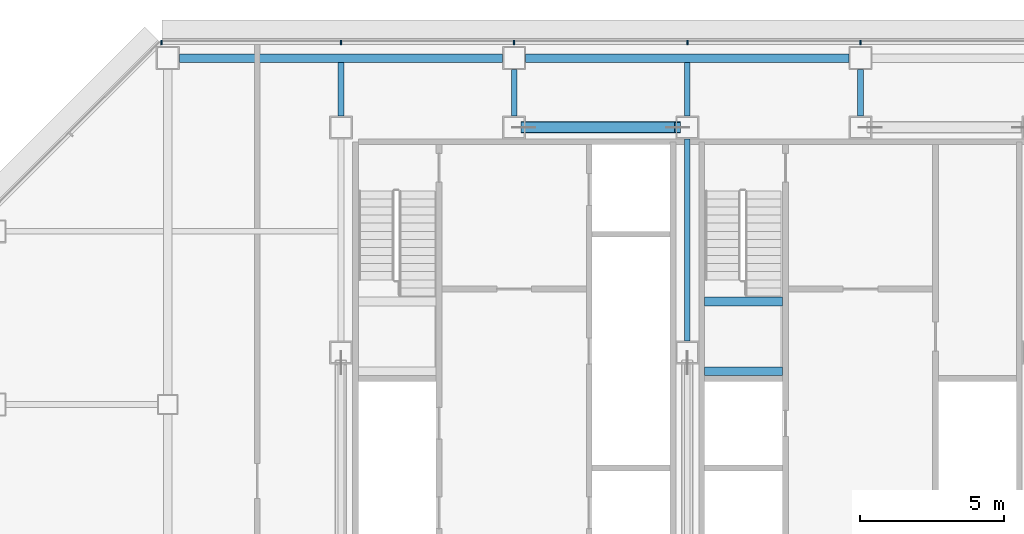
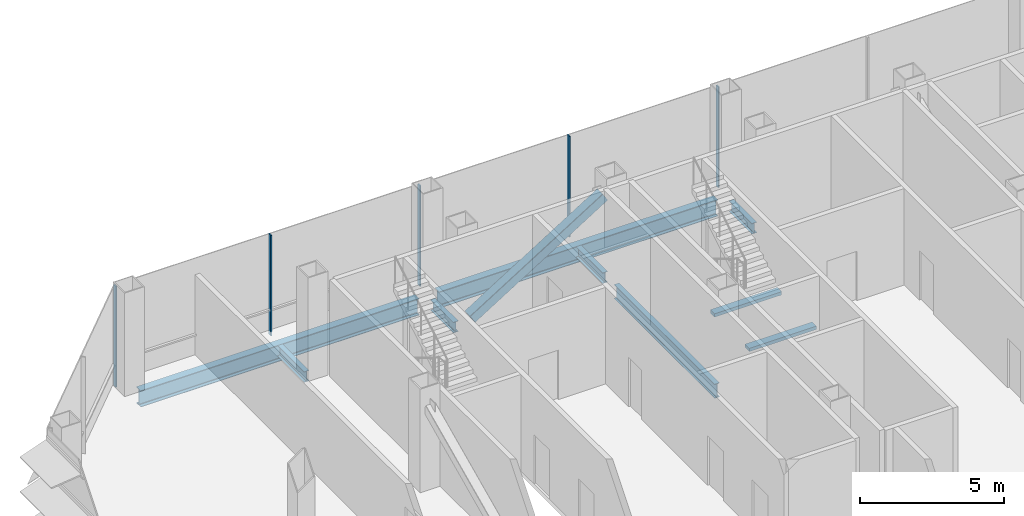
# One storey, part 12 of 28: 9 beams, 6 members, 1 element without a shape of its own.
"""IFC4 building model written with IfcOpenShell, lengths in metres."""

import ifcopenshell
import ifcopenshell.guid

model = None  # the IFC model being written
_history = None  # IfcOwnerHistory: only IFC2X3 demands one
_inside = {}  # id of a spatial element -> (the spatial element, [elements in it])
_under = {}  # id of a project, library or spatial element -> (it, [spatial elements below it])
_declared = {}  # id of a project -> (the project, [libraries it declares])
_typed = {}  # id of a type object -> (the type object, [elements of that type])
_made_of = {}  # id of a material, layer set ... -> (it, [elements and type objects made of it])


def new_model(schema):
    """Start an empty IFC model of exactly this schema.

    Asked for "IFC4X3", IfcOpenShell would pick the latest addendum, in which some entities
    have other attributes; the version numbers below select the first issue.
    IFC2X3 requires an IfcOwnerHistory on every rooted entity: one is made here for all.
    """
    global model, _history
    if schema == "IFC4X3":
        model = ifcopenshell.file(schema_version=(4, 3, 0, 0))
    else:
        model = ifcopenshell.file(schema=schema)
    _inside.clear()
    _under.clear()
    _declared.clear()
    _typed.clear()
    _made_of.clear()
    _history = None
    if model.schema == "IFC2X3":
        org = make("IfcOrganization", Name="unknown")
        user = make(
            "IfcPersonAndOrganization",
            ThePerson=make("IfcPerson", FamilyName="unknown"),
            TheOrganization=org,
        )
        app = make(
            "IfcApplication",
            ApplicationDeveloper=org,
            Version="unknown",
            ApplicationFullName="unknown",
            ApplicationIdentifier="unknown",
        )
        _history = make(
            "IfcOwnerHistory",
            OwningUser=user,
            OwningApplication=app,
            ChangeAction="ADDED",
            CreationDate=0,
        )
    return model


def make(cls, **values):
    """One entity of the class cls with the attributes given. An attribute that is None is left unset."""
    return model.create_entity(
        cls, **{name: value for name, value in values.items() if value is not None}
    )


def rooted(cls, **values):
    """An entity with a GlobalId (a new one), such as an element, a storey or a relation."""
    return make(cls, GlobalId=ifcopenshell.guid.new(), OwnerHistory=_history, **values)


def si_unit(unit_type, name, prefix=None):
    """IfcSIUnit, for example si_unit("LENGTHUNIT", "METRE", prefix="MILLI")."""
    return make("IfcSIUnit", UnitType=unit_type, Prefix=prefix, Name=name)


def assignment(units):
    """IfcUnitAssignment: the units of a project."""
    return None if units is None else make("IfcUnitAssignment", Units=units)


def point(xyz):
    """IfcCartesianPoint."""
    return None if xyz is None else make("IfcCartesianPoint", Coordinates=xyz)


def direction(xyz):
    """IfcDirection."""
    return None if xyz is None else make("IfcDirection", DirectionRatios=xyz)


def frame(location, z_axis=None, x_axis=None):
    """IfcAxis2Placement3D, a coordinate frame: its origin and axes. An axis left out is left unset."""
    return make(
        "IfcAxis2Placement3D",
        Location=point(location),
        Axis=direction(z_axis),
        RefDirection=direction(x_axis),
    )


def frame_2d(location, x_axis=None):
    """IfcAxis2Placement2D, a coordinate frame in the plane: its origin and x axis."""
    return make(
        "IfcAxis2Placement2D", Location=point(location), RefDirection=direction(x_axis)
    )


def origin():
    """The frame at (0, 0, 0) with its axes left unset."""
    return frame((0.0, 0.0, 0.0))


def origin_2d():
    """The frame at (0, 0) in the plane with its x axis left unset."""
    return frame_2d((0.0, 0.0))


def place(relative_to, where):
    """IfcLocalPlacement: puts the frame where relative to a parent placement (None: the world)."""
    return make(
        "IfcLocalPlacement", PlacementRelTo=relative_to, RelativePlacement=where
    )


def context(
    kind, dimensions, precision=None, world=None, true_north=None, identifier=None
):
    """IfcGeometricRepresentationContext, for example the 3D "Model" context."""
    return make(
        "IfcGeometricRepresentationContext",
        ContextIdentifier=identifier,
        ContextType=kind,
        CoordinateSpaceDimension=dimensions,
        Precision=precision,
        WorldCoordinateSystem=world,
        TrueNorth=true_north,
    )


def subcontext(parent, identifier, kind, view, scale=None):
    """IfcGeometricRepresentationSubContext, for example "Body" below "Model"."""
    return make(
        "IfcGeometricRepresentationSubContext",
        ContextIdentifier=identifier,
        ContextType=kind,
        ParentContext=parent,
        TargetScale=scale,
        TargetView=view,
    )


def project(units=None, contexts=None):
    """IfcProject with its units and contexts."""
    return rooted(
        "IfcProject",
        Name="project",
        RepresentationContexts=contexts,
        UnitsInContext=assignment(units),
    )


def spatial(cls, under=None, at=None, **own):
    """A site, building, storey or space (cls), placed at a placement, below another one or the project."""
    s = rooted(cls, ObjectPlacement=at, **own)
    if under is not None:
        _under.setdefault(under.id(), (under, []))[1].append(s)
    return s


def profile(cls, at=None, kind="AREA", **sizes):
    """A parametric profile (cls). Its sizes go by their IFC names, for example OverallWidth=200.0."""
    return make(cls, ProfileType=kind, Position=at, **sizes)


def rectangle(**sizes):
    """IfcRectangleProfileDef."""
    return profile("IfcRectangleProfileDef", **sizes)


def hollow_rectangle(**sizes):
    """IfcRectangleHollowProfileDef."""
    return profile("IfcRectangleHollowProfileDef", **sizes)


def i_section(**sizes):
    """IfcIShapeProfileDef."""
    return profile("IfcIShapeProfileDef", **sizes)


def extrude(swept, where, along, depth):
    """IfcExtrudedAreaSolid: the profile swept, set in the frame where, extruded along a direction by depth."""
    return make(
        "IfcExtrudedAreaSolid",
        SweptArea=swept,
        Position=where,
        ExtrudedDirection=direction(along),
        Depth=depth,
    )


def shape(context_of_items, identifier, shape_type, items):
    """IfcShapeRepresentation: the items that make up one representation, for example the "Body"."""
    return make(
        "IfcShapeRepresentation",
        ContextOfItems=context_of_items,
        RepresentationIdentifier=identifier,
        RepresentationType=shape_type,
        Items=items,
    )


def material(Name=None, Category=None):
    """IfcMaterial."""
    return make("IfcMaterial", Name=Name, Category=Category)


def material_profile(
    of_material, cross_section, Name=None, Category=None, Priority=None
):
    """IfcMaterialProfile: a cross section and its material."""
    return make(
        "IfcMaterialProfile",
        Name=Name,
        Material=of_material,
        Profile=cross_section,
        Priority=Priority,
        Category=Category,
    )


def profile_set(profiles, Name=None, composite=None):
    """IfcMaterialProfileSet."""
    return make(
        "IfcMaterialProfileSet",
        Name=Name,
        MaterialProfiles=profiles,
        CompositeProfile=composite,
    )


def made_of(thing, what):
    """Note that an element or type object is made of a material, layer set ...; save() writes the relation."""
    if what is not None:
        _made_of.setdefault(what.id(), (what, []))[1].append(thing)
    return thing


def type_object(cls, material=None, **own):
    """A type object (cls), such as IfcWallType, which elements share."""
    return made_of(rooted(cls, **own), material)


def element(
    cls,
    number,
    at=None,
    inside=None,
    cuts=None,
    type_object=None,
    material=None,
    context=None,
    identifier="Body",
    shape_type=None,
    held_by="IfcProductDefinitionShape",
    body=None,
    shapes=None,
    **own,
):
    """One element of the class cls, such as IfcWall. Its Tag is "e" and its number.

    at: its placement. inside: the storey or other place that contains it. cuts: it is an
    opening in that element (IfcRelVoidsElement). A single representation is given by context,
    identifier, shape_type and body (its items); several are given by shapes. held_by: the class
    of the entity that holds the representations. save() writes the other relations.
    """
    e = rooted(cls, Tag="e%d" % number, ObjectPlacement=at, **own)
    if body is not None:
        shapes = [shape(context, identifier, shape_type, body)]
    if shapes is not None:
        e.Representation = make(held_by, Representations=shapes)
    if inside is not None:
        _inside.setdefault(inside.id(), (inside, []))[1].append(e)
    if cuts is not None:
        rooted(
            "IfcRelVoidsElement", RelatingBuildingElement=cuts, RelatedOpeningElement=e
        )
    if type_object is not None:
        _typed.setdefault(type_object.id(), (type_object, []))[1].append(e)
    return made_of(e, material)


def aggregate(whole, parts):
    """IfcRelAggregates: a whole, such as a stair, and the parts it consists of."""
    return rooted("IfcRelAggregates", RelatingObject=whole, RelatedObjects=parts)


def save(model, path):
    """Write the relations noted so far, then the file.

    IfcRelAggregates (storeys below a building ...), IfcRelContainedInSpatialStructure (elements
    in a storey), IfcRelDefinesByType, IfcRelAssociatesMaterial and IfcRelDeclares: one each for
    every whole, place, type object, material and project.
    """
    for whole, parts in _under.values():
        aggregate(whole, parts)
    for where, things in _inside.values():
        rooted(
            "IfcRelContainedInSpatialStructure",
            RelatedElements=things,
            RelatingStructure=where,
        )
    for kind, things in _typed.values():
        rooted("IfcRelDefinesByType", RelatedObjects=things, RelatingType=kind)
    for what, things in _made_of.values():
        rooted("IfcRelAssociatesMaterial", RelatedObjects=things, RelatingMaterial=what)
    for by, libraries in _declared.values():
        rooted("IfcRelDeclares", RelatingContext=by, RelatedDefinitions=libraries)
    model.write(path)


model = new_model("IFC4")

# Units and contexts
model_context = context("Model", 3, precision=1e-05, world=origin(), true_north=direction((0.0, 1.0)))
body_context = subcontext(model_context, "Body", "Model", "MODEL_VIEW")
ifc_project = project(units=[si_unit("LENGTHUNIT", "METRE"), si_unit("AREAUNIT", "SQUARE_METRE"), si_unit("VOLUMEUNIT", "CUBIC_METRE"), si_unit("PLANEANGLEUNIT", "RADIAN"), si_unit("MASSUNIT", "GRAM", prefix="KILO")], contexts=[model_context])

# Site, building, storey
site_placement = place(None, origin())
site = spatial("IfcSite", under=ifc_project, at=site_placement, CompositionType="ELEMENT")
building_placement = place(site_placement, origin())
building = spatial("IfcBuilding", under=site, at=building_placement, Name="Sorahane Residences", CompositionType="ELEMENT")
storey_placement = place(building_placement, frame((0.0, 0.0, 134.0)))
storey = spatial("IfcBuildingStorey", under=building, at=storey_placement, Name="L30", CompositionType="ELEMENT", Elevation=134.0)

# Member
ifc_material_1 = material(Name="Steel Q355B", Category="steel")
ifc_material_profile_1 = material_profile(ifc_material_1, hollow_rectangle(XDim=0.39990234375, YDim=0.39990234375, WallThickness=0.02001953125, InnerFilletRadius=0.010009765625, OuterFilletRadius=0.030029296875, at=origin_2d()), Name="RHS 400x400x20")
ifc_profile_set_1 = profile_set([ifc_material_profile_1], Name="Steel Q355B")
member_type_1 = type_object("IfcMemberType", Name="Core brace RHS 400x400x20 Q355B", PredefinedType="BRACE", material=ifc_profile_set_1)
member_1_placement = place(storey_placement, frame((12.33642578125, 45.60009765625, 0.16015625), z_axis=(0.847989570643, 0.0, 0.530012913127), x_axis=(0.0, 1.0, 0.0)))
element("IfcMember", 1, at=member_1_placement, inside=storey, type_object=member_type_1, Name="Core brace L30 y45.6-2", PredefinedType="BRACE", context=body_context, shape_type="SweptSolid", body=[
    extrude(hollow_rectangle(XDim=0.39990234375, YDim=0.39990234375, WallThickness=0.02001953125, InnerFilletRadius=0.010009765625, OuterFilletRadius=0.030029296875, at=origin_2d()), origin(), (0.0, 0.0, 1.0), 6.281982421875),
])

# Curtain wall, members
ifc_material_2 = material(Name="Dark low-e glass and black anodised aluminium", Category="aluminium")
curtain_wall_type = type_object("IfcCurtainWallType", Name="Curtain wall CW-1 Typical unitised wall", PredefinedType="NOTDEFINED", material=ifc_material_2)
curtain_wall_placement = place(storey_placement, origin())
curtain_wall = element("IfcCurtainWall", 2, at=curtain_wall_placement, inside=storey, type_object=curtain_wall_type, Name="CW-1 curtain wall L30 N1", PredefinedType="NOTDEFINED")
ifc_material_3 = material(Name="Black anodised aluminium", Category="aluminium")
ifc_material_profile_2 = material_profile(ifc_material_3, rectangle(XDim=0.159912109375, YDim=0.050048828125, at=origin_2d()), Name="Curtain wall mullion CW-1 black anodised aluminium 50x160")
ifc_profile_set_2 = profile_set([ifc_material_profile_2], Name="Black anodised aluminium")
member_type_2 = type_object("IfcMemberType", Name="Curtain wall mullion CW-1 black anodised aluminium 50x160", PredefinedType="MULLION", material=ifc_profile_set_2)
member_2_placement = place(storey_placement, frame((24.0, 48.5400390625, -0.179931640625), z_axis=(0.0, 0.0, 1.0), x_axis=(0.0, 1.0, 0.0)))
member_2 = element("IfcMember", 3, at=member_2_placement, type_object=member_type_2, Name="CW-1 mullion L30 N1.6", PredefinedType="MULLION", context=body_context, shape_type="SweptSolid", body=[
    extrude(rectangle(XDim=0.159912109375, YDim=0.050048828125, at=origin_2d()), origin(), (0.0, 0.0, 1.0), 4.280029296875),
])
member_3_placement = place(storey_placement, frame((18.0, 48.5400390625, -0.179931640625), z_axis=(0.0, 0.0, 1.0), x_axis=(0.0, 1.0, 0.0)))
member_3 = element("IfcMember", 4, at=member_3_placement, type_object=member_type_2, Name="CW-1 mullion L30 N1.7", PredefinedType="MULLION", context=body_context, shape_type="SweptSolid", body=[
    extrude(rectangle(XDim=0.159912109375, YDim=0.050048828125, at=origin_2d()), origin(), (0.0, 0.0, 1.0), 4.280029296875),
])
member_4_placement = place(storey_placement, frame((12.0, 48.5400390625, -0.179931640625), z_axis=(0.0, 0.0, 1.0), x_axis=(0.0, 1.0, 0.0)))
member_4 = element("IfcMember", 5, at=member_4_placement, type_object=member_type_2, Name="CW-1 mullion L30 N1.8", PredefinedType="MULLION", context=body_context, shape_type="SweptSolid", body=[
    extrude(rectangle(XDim=0.159912109375, YDim=0.050048828125, at=origin_2d()), origin(), (0.0, 0.0, 1.0), 4.280029296875),
])
member_5_placement = place(storey_placement, frame((6.0, 48.5400390625, -0.179931640625), z_axis=(0.0, 0.0, 1.0), x_axis=(0.0, 1.0, 0.0)))
member_5 = element("IfcMember", 6, at=member_5_placement, type_object=member_type_2, Name="CW-1 mullion L30 N1.9", PredefinedType="MULLION", context=body_context, shape_type="SweptSolid", body=[
    extrude(rectangle(XDim=0.159912109375, YDim=0.050048828125, at=origin_2d()), origin(), (0.0, 0.0, 1.0), 4.280029296875),
])
member_6_placement = place(storey_placement, frame((-0.2236328125, 48.5400390625, -0.179931640625), z_axis=(0.0, 0.0, 1.0), x_axis=(0.0, 1.0, 0.0)))
member_6 = element("IfcMember", 7, at=member_6_placement, type_object=member_type_2, Name="CW-1 mullion L30 N1.10", PredefinedType="MULLION", context=body_context, shape_type="SweptSolid", body=[
    extrude(rectangle(XDim=0.159912109375, YDim=0.050048828125, at=origin_2d()), origin(), (0.0, 0.0, 1.0), 4.280029296875),
])
aggregate(curtain_wall, [member_2, member_3, member_4, member_5, member_6])

# Beams
ifc_material_4 = material(Name="Concrete C40", Category="concrete")
ifc_material_profile_3 = material_profile(ifc_material_4, rectangle(XDim=0.300048828125, YDim=0.139892578125, at=origin_2d()), Name="300x140")
ifc_profile_set_3 = profile_set([ifc_material_profile_3], Name="Concrete C40")
beam_type_1 = type_object("IfcBeamType", Name="RC landing beam 300 x 140 Concrete C40", PredefinedType="BEAM", material=ifc_profile_set_3)
for number, where, z_axis, x_axis, name in (
    (8, (18.60009765625, 37.14990234375, 1.7607421875), (1.0, 0.0, 0.0), (0.0, 1.0, 0.0), "Landing beam"),
    (9, (18.60009765625, 39.570068359375, 1.7607421875), (1.0, 0.0, 0.0), (0.0, 1.0, 0.0), "Landing beam"),
):
    element("IfcBeam", number, at=place(storey_placement, frame(where, z_axis=z_axis, x_axis=x_axis)), inside=storey, type_object=beam_type_1, Name=name, PredefinedType="BEAM", context=body_context, shape_type="SweptSolid", body=[
        extrude(rectangle(XDim=0.300048828125, YDim=0.139892578125, at=origin_2d()), origin(), (0.0, 0.0, 1.0), 2.699951171875),
    ])
ifc_material_5 = material(Name="Steel Q355B", Category="steel")
ifc_material_profile_4 = material_profile(ifc_material_5, i_section(OverallWidth=0.199951171875, OverallDepth=0.449951171875, WebThickness=0.009033203125, FlangeThickness=0.013916015625, FilletRadius=0.02001953125, at=origin_2d()), Name="HN 450x200x9x14")
ifc_profile_set_4 = profile_set([ifc_material_profile_4], Name="Steel Q355B")
beam_type_2 = type_object("IfcBeamType", Name="Steel floor beam HN 450x200x9x14 Q355B", PredefinedType="BEAM", material=ifc_profile_set_4)
beam_1_placement = place(storey_placement, frame((6.0, 46.0, -0.405029296875), z_axis=(0.0, 1.0, 0.0), x_axis=(-1.0, 0.0, 0.0)))
element("IfcBeam", 10, at=beam_1_placement, inside=storey, type_object=beam_type_2, Name="Beam L30 033", PredefinedType="BEAM", context=body_context, shape_type="SweptSolid", body=[
    extrude(i_section(OverallWidth=0.199951171875, OverallDepth=0.449951171875, WebThickness=0.009033203125, FlangeThickness=0.013916015625, FilletRadius=0.02001953125, at=origin_2d()), origin(), (0.0, 0.0, 1.0), 1.85009765625),
])
beam_2_placement = place(storey_placement, frame((12.0, 46.0, -0.405029296875), z_axis=(0.0, 1.0, 0.0), x_axis=(-1.0, 0.0, 0.0)))
element("IfcBeam", 11, at=beam_2_placement, inside=storey, type_object=beam_type_2, Name="Beam L30 035", PredefinedType="BEAM", context=body_context, shape_type="SweptSolid", body=[
    extrude(i_section(OverallWidth=0.199951171875, OverallDepth=0.449951171875, WebThickness=0.009033203125, FlangeThickness=0.013916015625, FilletRadius=0.02001953125, at=origin_2d()), origin(), (0.0, 0.0, 1.0), 1.60009765625),
])
beam_3_placement = place(storey_placement, frame((18.0, 46.0, -0.405029296875), z_axis=(0.0, 1.0, 0.0), x_axis=(-1.0, 0.0, 0.0)))
element("IfcBeam", 12, at=beam_3_placement, inside=storey, type_object=beam_type_2, Name="Beam L30 041", PredefinedType="BEAM", context=body_context, shape_type="SweptSolid", body=[
    extrude(i_section(OverallWidth=0.199951171875, OverallDepth=0.449951171875, WebThickness=0.009033203125, FlangeThickness=0.013916015625, FilletRadius=0.02001953125, at=origin_2d()), origin(), (0.0, 0.0, 1.0), 1.85009765625),
])
beam_4_placement = place(storey_placement, frame((24.0, 46.0, -0.405029296875), z_axis=(0.0, 1.0, 0.0), x_axis=(-1.0, 0.0, 0.0)))
element("IfcBeam", 13, at=beam_4_placement, inside=storey, type_object=beam_type_2, Name="Beam L30 043", PredefinedType="BEAM", context=body_context, shape_type="SweptSolid", body=[
    extrude(i_section(OverallWidth=0.199951171875, OverallDepth=0.449951171875, WebThickness=0.009033203125, FlangeThickness=0.013916015625, FilletRadius=0.02001953125, at=origin_2d()), origin(), (0.0, 0.0, 1.0), 1.60009765625),
])
ifc_material_6 = material(Name="Steel Q355B", Category="steel")
ifc_material_profile_5 = material_profile(ifc_material_6, i_section(OverallWidth=0.199951171875, OverallDepth=0.60009765625, WebThickness=0.010986328125, FlangeThickness=0.01708984375, FilletRadius=0.02392578125, at=origin_2d()), Name="HN 600x200x11x17")
ifc_profile_set_5 = profile_set([ifc_material_profile_5], Name="Steel Q355B")
beam_type_3 = type_object("IfcBeamType", Name="Steel floor beam HN 600x200x11x17 Q355B", PredefinedType="BEAM", material=ifc_profile_set_5)
beam_5_placement = place(storey_placement, frame((18.0, 38.199951171875, -0.47998046875), z_axis=(0.0, 1.0, 0.0), x_axis=(-1.0, 0.0, 0.0)))
element("IfcBeam", 14, at=beam_5_placement, inside=storey, type_object=beam_type_3, Name="Beam L30 040", PredefinedType="BEAM", context=body_context, shape_type="SweptSolid", body=[
    extrude(i_section(OverallWidth=0.199951171875, OverallDepth=0.60009765625, WebThickness=0.010986328125, FlangeThickness=0.01708984375, FilletRadius=0.02392578125, at=origin_2d()), origin(), (0.0, 0.0, 1.0), 7.0),
])
ifc_material_7 = material(Name="Steel Q355B", Category="steel")
ifc_material_profile_6 = material_profile(ifc_material_7, i_section(OverallWidth=0.300048828125, OverallDepth=0.699951171875, WebThickness=0.012939453125, FlangeThickness=0.02392578125, FilletRadius=0.028076171875, at=origin_2d()), Name="HN 700x300x13x24")
ifc_profile_set_6 = profile_set([ifc_material_profile_6], Name="Steel Q355B")
beam_type_4 = type_object("IfcBeamType", Name="Steel floor beam HN 700x300x13x24 Q355B", PredefinedType="BEAM", material=ifc_profile_set_6)
for number, where, z_axis, x_axis, name in (
    (15, (0.39990234375, 48.0, -0.530029296875), (1.0, 0.0, 0.0), (0.0, 1.0, 0.0), "Beam L30 015"),
    (16, (12.39990234375, 48.0, -0.530029296875), (1.0, 0.0, 0.0), (0.0, 1.0, 0.0), "Beam L30 016"),
):
    element("IfcBeam", number, at=place(storey_placement, frame(where, z_axis=z_axis, x_axis=x_axis)), inside=storey, type_object=beam_type_4, Name=name, PredefinedType="BEAM", context=body_context, shape_type="SweptSolid", body=[
        extrude(i_section(OverallWidth=0.300048828125, OverallDepth=0.699951171875, WebThickness=0.012939453125, FlangeThickness=0.02392578125, FilletRadius=0.028076171875, at=origin_2d()), origin(), (0.0, 0.0, 1.0), 11.2001953125),
    ])

save(model, "model.ifc")
